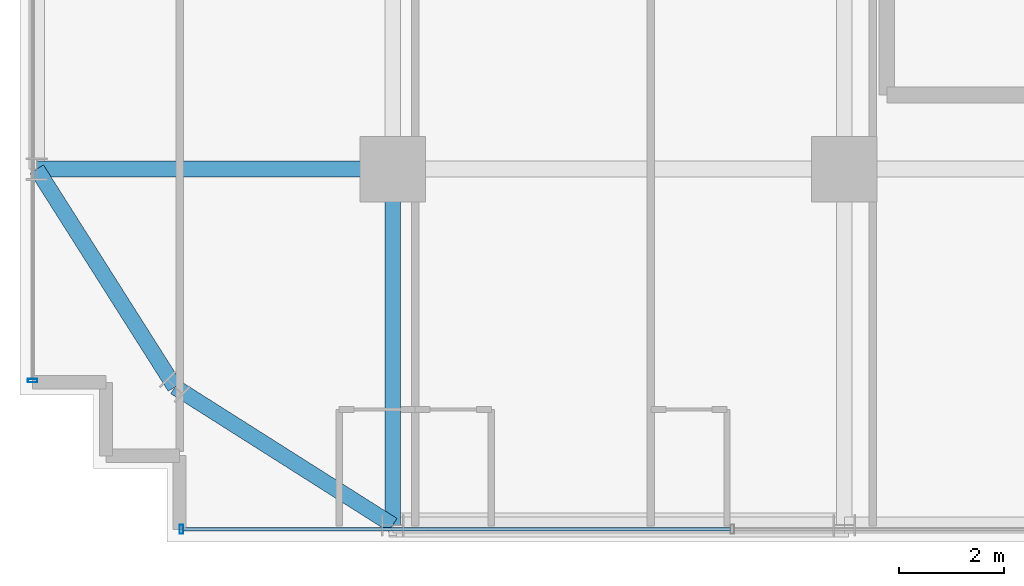
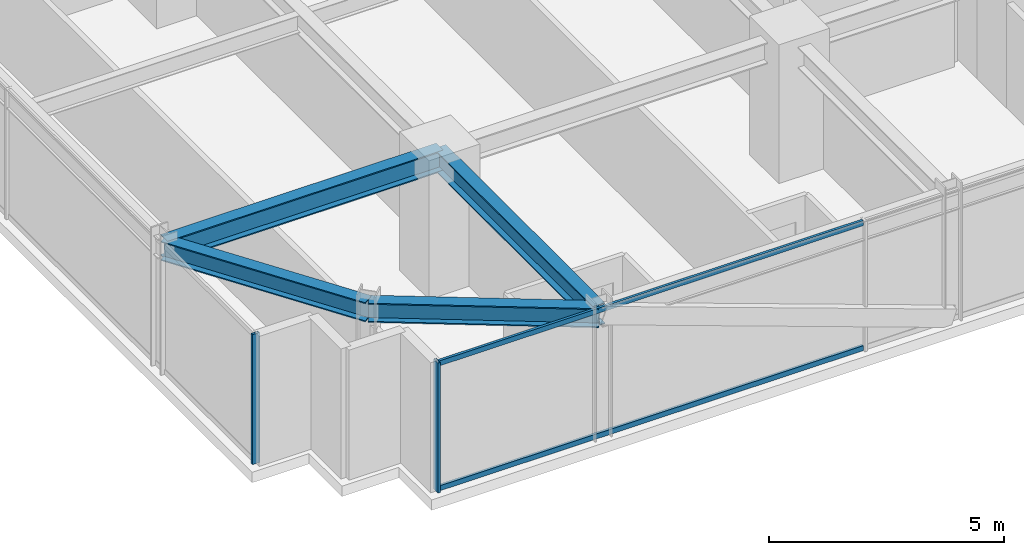
# One storey, part 2 of 34: 4 beams, 4 members, 2 elements without a shape of their own.
"""IFC4 building model written with IfcOpenShell, lengths in metres."""

from ifc_helpers import new_model, si_unit, direction, frame, origin, origin_2d, place, context, subcontext, project, spatial, hollow_rectangle, i_section, extrude, source, transform, mapped, material, material_profile, profile_set, type_object, element, aggregate, save


model = new_model("IFC4")

# Units and contexts
model_context = context("Model", 3, precision=1e-05, world=origin(), true_north=direction((0.0, 1.0)))
body_context = subcontext(model_context, "Body", "Model", "MODEL_VIEW")
ifc_project = project(units=[si_unit("LENGTHUNIT", "METRE"), si_unit("AREAUNIT", "SQUARE_METRE"), si_unit("VOLUMEUNIT", "CUBIC_METRE"), si_unit("PLANEANGLEUNIT", "RADIAN"), si_unit("MASSUNIT", "GRAM", prefix="KILO")], contexts=[model_context])

# Site, building, storey
site_placement = place(None, origin())
site = spatial("IfcSite", under=ifc_project, at=site_placement, CompositionType="ELEMENT")
building_placement = place(site_placement, origin())
building = spatial("IfcBuilding", under=site, at=building_placement, Name="Nahalor Promenade Grand Hotel", CompositionType="ELEMENT")
storey_placement = place(building_placement, frame((0.0, 0.0, 99.25)))
storey = spatial("IfcBuildingStorey", under=building, at=storey_placement, Name="L24", CompositionType="ELEMENT", Elevation=99.25)

# Beams
ifc_material_1 = material(Name="Steel S355JR", Category="steel")
ifc_material_profile_1 = material_profile(ifc_material_1, i_section(OverallWidth=0.3, OverallDepth=0.5, WebThickness=0.0145, FlangeThickness=0.028, at=origin_2d()), Name="HEB 500")
ifc_profile_set_1 = profile_set([ifc_material_profile_1], Name="Steel S355JR")
beam_type_1 = type_object("IfcBeamType", Name="Beam-Spandrel-HEB500", PredefinedType="SPANDREL", material=ifc_profile_set_1)
shared_shape_1 = source(origin(), body_context, "Body", "SweptSolid", [
    extrude(i_section(OverallWidth=0.3, OverallDepth=0.5, WebThickness=0.0145, FlangeThickness=0.028, at=origin_2d()), origin(), (0.0, 0.0, 1.0), 4.9130859375),
])
for number, where, z_axis, x_axis, name in (
    (1, (-17.0, -23.780029296875, 3.1298828125), (-0.844648325505, 0.535321591403, 0.0), (-0.535321591403, -0.844648325505, 0.0), "BM-L24-SPC-SW-1"),
    (2, (-21.14990234375, -21.14990234375, 3.1298828125), (-0.535321591403, 0.844648325505, 0.0), (-0.844648325505, -0.535321591403, 0.0), "BM-L24-SPC-SW-2"),
):
    element("IfcBeam", number, at=place(storey_placement, frame(where, z_axis=z_axis, x_axis=x_axis)), inside=storey, type_object=beam_type_1, Name=name, PredefinedType="SPANDREL", context=body_context, shape_type="MappedRepresentation", body=[
        mapped(shared_shape_1, transform((0.0, 0.0, 0.0), scale=1.0)),
    ])
ifc_material_profile_2 = material_profile(ifc_material_1, i_section(OverallWidth=0.3, OverallDepth=0.55, WebThickness=0.015, FlangeThickness=0.029, at=origin_2d()), Name="HEB 550")
ifc_profile_set_2 = profile_set([ifc_material_profile_2], Name="Steel S355JR")
beam_type_2 = type_object("IfcBeamType", Name="Beam-Girder-HEB550", PredefinedType="BEAM", material=ifc_profile_set_2)
shared_shape_2 = source(origin(), body_context, "Body", "SweptSolid", [
    extrude(i_section(OverallWidth=0.3, OverallDepth=0.55, WebThickness=0.015, FlangeThickness=0.029, at=origin_2d()), origin(), (0.0, 0.0, 1.0), 6.780029296875),
])
for number, where, z_axis, x_axis, name in (
    (3, (-23.780029296875, -17.0, 3.10498046875), (1.0, 0.0, 0.0), (0.0, 1.0, 0.0), "BM-L24-GX-0-0"),
    (4, (-17.0, -23.780029296875, 3.10498046875), (0.0, 1.0, 0.0), (-1.0, 0.0, 0.0), "BM-L24-GY-0-0"),
):
    element("IfcBeam", number, at=place(storey_placement, frame(where, z_axis=z_axis, x_axis=x_axis)), inside=storey, type_object=beam_type_2, Name=name, PredefinedType="BEAM", context=body_context, shape_type="MappedRepresentation", body=[
        mapped(shared_shape_2, transform((0.0, 0.0, 0.0), scale=1.0)),
    ])

# Curtain wall, member
ifc_material_2 = material(Name="Anodised Bronze Aluminium EN AW-6063 T6", Category="aluminium")
curtain_wall_type = type_object("IfcCurtainWallType", Name="CW2 Typical Hotel Flush Bronze Unitised Curtain Wall", PredefinedType="USERDEFINED", material=ifc_material_2)
curtain_wall_1_placement = place(storey_placement, origin())
curtain_wall_1 = element("IfcCurtainWall", 5, at=curtain_wall_1_placement, inside=storey, type_object=curtain_wall_type, Name="L24 Curtain Wall CW-L24-S-1", ObjectType="UNITISED_CURTAIN_WALL", PredefinedType="USERDEFINED")
ifc_material_profile_3 = material_profile(ifc_material_2, hollow_rectangle(XDim=0.065, YDim=0.18, WallThickness=0.004, at=origin_2d()), Name="CWM 65x180x4")
ifc_profile_set_3 = profile_set([ifc_material_profile_3], Name="Anodised Bronze Aluminium EN AW-6063 T6")
member_type_1 = type_object("IfcMemberType", Name="CWM2 Typical Bronze Mullion 65x180", PredefinedType="MULLION", material=ifc_profile_set_3)
shared_shape_3 = source(origin(), body_context, "Body", "SweptSolid", [
    extrude(hollow_rectangle(XDim=0.065, YDim=0.18, WallThickness=0.004, at=origin_2d()), origin(), (0.0, 0.0, 1.0), 3.3798828125),
])
member_1_placement = place(storey_placement, frame((-21.027587890625, -23.860107421875, 0.0), z_axis=(0.0, 0.0, 1.0), x_axis=(1.0, 0.0, 0.0)))
member_1 = element("IfcMember", 6, at=member_1_placement, type_object=member_type_1, Name="CW-L24-S-1 Mullion 0", PredefinedType="MULLION", context=body_context, shape_type="MappedRepresentation", body=[
    mapped(shared_shape_3, transform((0.0, 0.0, 0.0), scale=1.0)),
])

curtain_wall_2_placement = place(storey_placement, origin())
curtain_wall_2 = element("IfcCurtainWall", 7, at=curtain_wall_2_placement, inside=storey, type_object=curtain_wall_type, Name="L24 Curtain Wall CW-L24-W-1", ObjectType="UNITISED_CURTAIN_WALL", PredefinedType="USERDEFINED")
member_2_placement = place(storey_placement, frame((-23.860107421875, -21.027587890625, 0.0), z_axis=(0.0, 0.0, 1.0), x_axis=(0.0, 1.0, 0.0)))
member_2 = element("IfcMember", 8, at=member_2_placement, type_object=member_type_1, Name="CW-L24-W-1 Mullion 0", PredefinedType="MULLION", context=body_context, shape_type="MappedRepresentation", body=[
    mapped(shared_shape_3, transform((0.0, 0.0, 0.0), scale=1.0)),
])
aggregate(curtain_wall_2, [member_2])

# Member
ifc_material_profile_4 = material_profile(ifc_material_2, hollow_rectangle(XDim=0.065, YDim=0.13, WallThickness=0.004, at=origin_2d()), Name="CWT 65x130x4")
ifc_profile_set_4 = profile_set([ifc_material_profile_4], Name="Anodised Bronze Aluminium EN AW-6063 T6")
member_type_2 = type_object("IfcMemberType", Name="CWT2 Typical Bronze Transom 65x130", PredefinedType="USERDEFINED", material=ifc_profile_set_4)
shared_shape_4 = source(origin(), body_context, "Body", "SweptSolid", [
    extrude(hollow_rectangle(XDim=0.065, YDim=0.13, WallThickness=0.004, at=origin_2d()), origin(), (0.0, 0.0, 1.0), 10.4326171875),
])
member_3_placement = place(storey_placement, frame((-20.9951171875, -23.860107421875, 0.06494140625), z_axis=(1.0, 0.0, 0.0), x_axis=(0.0, 1.0, 0.0)))
member_3 = element("IfcMember", 9, at=member_3_placement, type_object=member_type_2, Name="CW-L24-S-1 Transom 0-0", ObjectType="TRANSOM", PredefinedType="USERDEFINED", context=body_context, shape_type="MappedRepresentation", body=[
    mapped(shared_shape_4, transform((0.0, 0.0, 0.0), scale=1.0)),
])

member_4_placement = place(storey_placement, frame((-20.9951171875, -23.860107421875, 3.31494140625), z_axis=(1.0, 0.0, 0.0), x_axis=(0.0, 1.0, 0.0)))
member_4 = element("IfcMember", 10, at=member_4_placement, type_object=member_type_2, Name="CW-L24-S-1 Transom 0-1", ObjectType="TRANSOM", PredefinedType="USERDEFINED", context=body_context, shape_type="MappedRepresentation", body=[
    mapped(shared_shape_4, transform((0.0, 0.0, 0.0), scale=1.0)),
])

aggregate(curtain_wall_1, [member_1, member_3, member_4])

save(model, "model.ifc")
